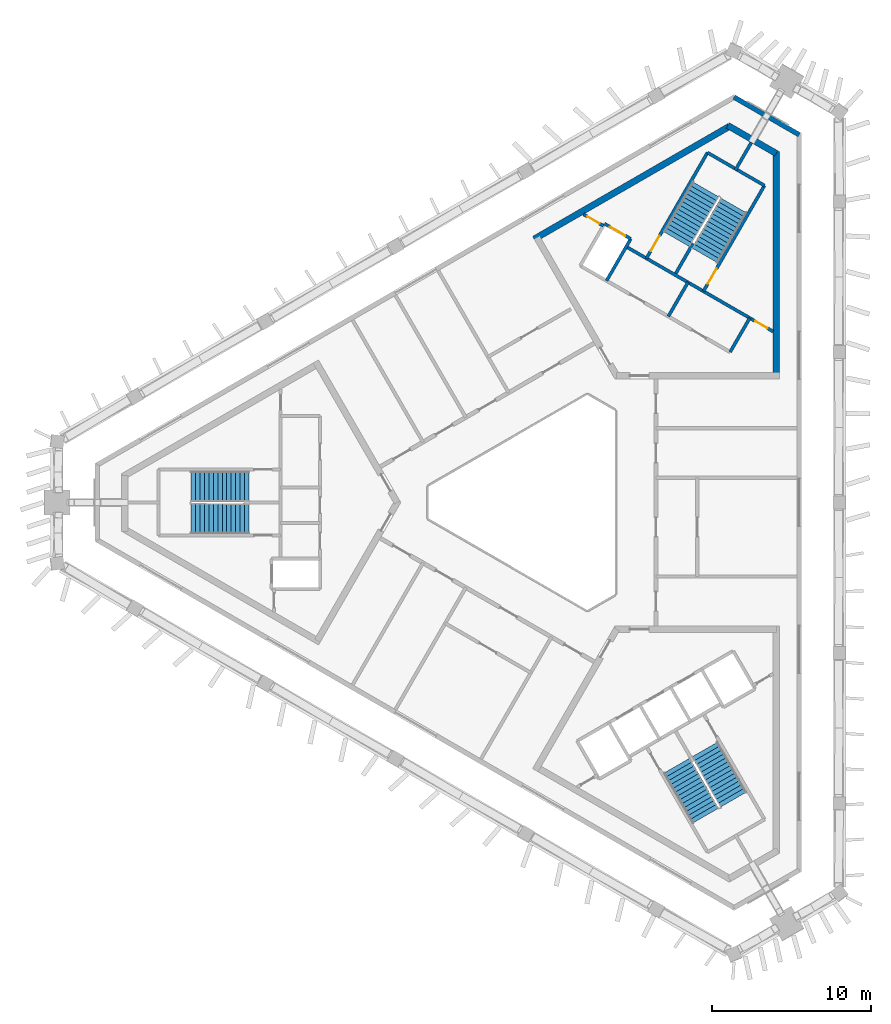
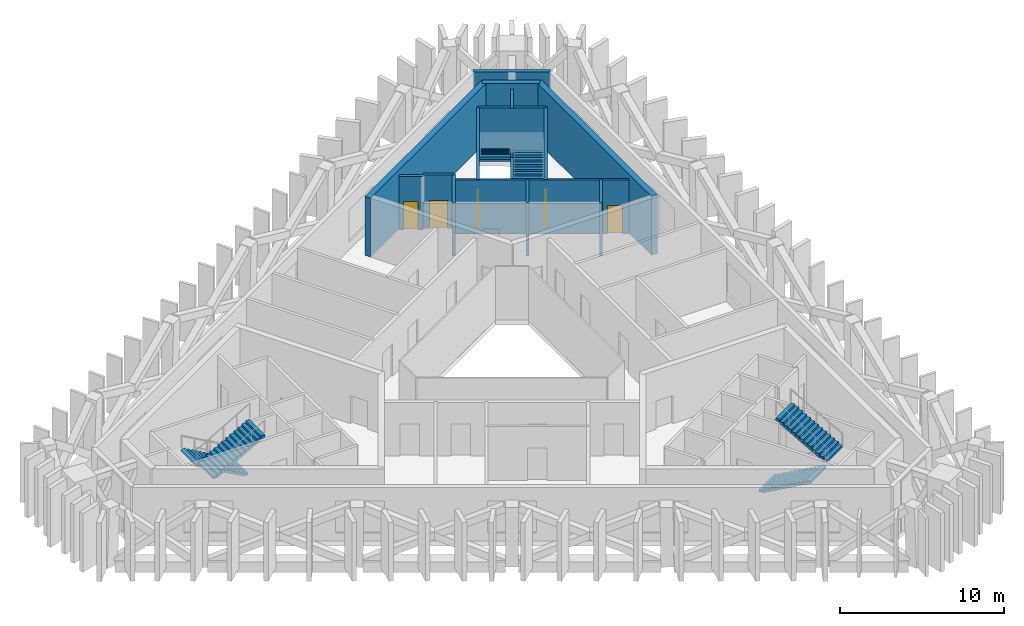
# One storey, part 6 of 8: 15 walls, 6 stair flights, 5 doors, 5 openings, 3 elements without a shape of their own.
"""IFC4 building model written with IfcOpenShell, lengths in metres."""

from ifc_helpers import new_model, si_unit, direction, frame, frame_2d, origin, place, context, subcontext, project, spatial, polyline, rectangle, outline, extrude, material, layer, layer_set, type_object, element, fill, aggregate, save


model = new_model("IFC4")

# Units and contexts
model_context = context("Model", 3, precision=1e-05, world=origin(), true_north=direction((0.0, 1.0)))
body_context = subcontext(model_context, "Body", "Model", "MODEL_VIEW")
ifc_project = project(units=[si_unit("LENGTHUNIT", "METRE"), si_unit("AREAUNIT", "SQUARE_METRE"), si_unit("VOLUMEUNIT", "CUBIC_METRE"), si_unit("PLANEANGLEUNIT", "RADIAN"), si_unit("MASSUNIT", "GRAM", prefix="KILO")], contexts=[model_context])

# Site, building, storey
site_placement = place(None, origin())
site = spatial("IfcSite", under=ifc_project, at=site_placement, CompositionType="ELEMENT")
building_placement = place(site_placement, origin())
building = spatial("IfcBuilding", under=site, at=building_placement, Name="Jabali Bay Hotel Tower and Convention Centre", CompositionType="ELEMENT")
storey_placement = place(building_placement, frame((0.0, 0.0, 296.0)))
storey = spatial("IfcBuildingStorey", under=building, at=storey_placement, Name="L73", CompositionType="ELEMENT", Elevation=296.0)

# Wall
ifc_material_1 = material(Name="Concrete C40", Category="concrete")
ifc_layer_1 = layer(ifc_material_1, 0.199951171875)
ifc_layer_set_1 = layer_set([ifc_layer_1], Name="Concrete C40")
wall_type_1 = type_object("IfcWallType", Name="Core partition wall 200", PredefinedType="PARTITIONING", material=ifc_layer_set_1)
wall_1_placement = place(storey_placement, frame((87.090087890625, 100.9404296875, 0.0), z_axis=(0.0, 0.0, 1.0), x_axis=(0.499941815747, 0.866058993873, 0.0)))
element("IfcWall", 1, at=wall_1_placement, inside=storey, type_object=wall_type_1, Name="Core wall 1.4 L73", PredefinedType="PARTITIONING", context=body_context, shape_type="SweptSolid", body=[
    extrude(rectangle(XDim=2.023193359375, YDim=0.199951171875, at=frame_2d((1.01171875, 0.0))), origin(), (0.0, 0.0, 1.0), 4.0),
])

# Wall, opening, door
wall_2_placement = place(storey_placement, frame((78.7802734375, 97.447509765625, 0.0), z_axis=(0.0, 0.0, 1.0), x_axis=(-0.866045896294, 0.499964504253, 0.0)))
wall_2 = element("IfcWall", 2, at=wall_2_placement, inside=storey, type_object=wall_type_1, Name="Core wall 1.10 L73", PredefinedType="PARTITIONING", context=body_context, shape_type="SweptSolid", body=[
    extrude(rectangle(XDim=1.455078125, YDim=0.199951171875, at=frame_2d((0.7275390625, 0.0))), origin(), (0.0, 0.0, 1.0), 4.0),
])
opening_1_placement = place(wall_2_placement, frame((0.277587890625, 0.0, 0.0)))
opening_1 = element("IfcOpeningElement", 3, at=opening_1_placement, cuts=wall_2, Name="Opening D1626", PredefinedType="OPENING", context=body_context, shape_type="SweptSolid", body=[
    extrude(rectangle(XDim=0.89990234375, YDim=2.10009765625, at=frame_2d((0.449951171875, 1.050048828125))), frame((0.0, 0.1103515625, 0.0), z_axis=(0.0, -1.0, 0.0), x_axis=(1.0, 0.0, 0.0)), (0.0, 0.0, 1.0), 0.220947265625),
])
ifc_material_2 = material(Name="Fire-rated steel door", Category="steel")
door_type_1 = type_object("IfcDoorType", Name="Vestibule fire door 900 x 2100", OperationType="NOTDEFINED", PredefinedType="NOTDEFINED", material=ifc_material_2)
door_1_placement = place(opening_1_placement, origin())
door_1 = element("IfcDoor", 4, at=door_1_placement, inside=storey, type_object=door_type_1, Name="Vestibule fire door D1626", OperationType="SINGLE_SWING_LEFT", OverallHeight=2.10009765625, OverallWidth=0.89990234375, PredefinedType="NOTDEFINED", context=body_context, shape_type="SweptSolid", body=[
    extrude(rectangle(XDim=0.89990234375, YDim=2.10009765625, at=frame_2d((0.449951171875, 1.050048828125))), frame((0.0, 0.02490234375, 0.0), z_axis=(0.0, -1.0, 0.0), x_axis=(1.0, 0.0, 0.0)), (0.0, 0.0, 1.0), 0.050048828125),
])
fill(opening_1, door_1)

# Wall
ifc_layer_2 = layer(ifc_material_1, 0.199951171875)
ifc_layer_set_2 = layer_set([ifc_layer_2], Name="Concrete C40")
wall_type_2 = type_object("IfcWallType", Name="Core stair wall 200", PredefinedType="SOLIDWALL", material=ifc_layer_set_2)
wall_3_placement = place(storey_placement, frame((86.769775390625, 89.48583984375, 0.0), z_axis=(0.0, 0.0, 1.0), x_axis=(0.499961042966, 0.86604789447, 0.0)))
element("IfcWall", 5, at=wall_3_placement, inside=storey, type_object=wall_type_2, Name="Core wall 1.0 L73", PredefinedType="SOLIDWALL", context=body_context, shape_type="SweptSolid", body=[
    extrude(rectangle(XDim=2.480224609375, YDim=0.199951171875, at=frame_2d((1.240234375, 0.0))), origin(), (0.0, 0.0, 1.0), 4.0),
])

# Wall, opening, door
wall_4_placement = place(storey_placement, frame((85.0869140625, 93.3212890625, 0.0), z_axis=(0.0, 0.0, 1.0), x_axis=(0.500019787375, 0.866013979237, 0.0)))
wall_4 = element("IfcWall", 6, at=wall_4_placement, inside=storey, type_object=wall_type_2, Name="Core wall 1.1 L73", PredefinedType="SOLIDWALL", context=body_context, shape_type="SweptSolid", body=[
    extrude(rectangle(XDim=7.699951171875, YDim=0.199951171875, at=frame_2d((3.85009765625, 0.0))), origin(), (0.0, 0.0, 1.0), 4.0),
])
opening_2_placement = place(wall_4_placement, frame((0.550048828125, 0.0, 0.0)))
opening_2 = element("IfcOpeningElement", 7, at=opening_2_placement, cuts=wall_4, Name="Opening D1629", PredefinedType="OPENING", context=body_context, shape_type="SweptSolid", body=[
    extrude(rectangle(XDim=1.10009765625, YDim=2.10009765625, at=frame_2d((0.550048828125, 1.050048828125))), frame((0.0, 0.1103515625, 0.0), z_axis=(0.0, -1.0, 0.0), x_axis=(1.0, 0.0, 0.0)), (0.0, 0.0, 1.0), 0.220947265625),
])
door_type_2 = type_object("IfcDoorType", Name="Stair fire door 1100 x 2100", OperationType="NOTDEFINED", PredefinedType="NOTDEFINED", material=ifc_material_2)
door_2_placement = place(opening_2_placement, origin())
door_2 = element("IfcDoor", 8, at=door_2_placement, inside=storey, type_object=door_type_2, Name="Stair fire door D1629", OperationType="SINGLE_SWING_LEFT", OverallHeight=2.10009765625, OverallWidth=1.10009765625, PredefinedType="NOTDEFINED", context=body_context, shape_type="SweptSolid", body=[
    extrude(rectangle(XDim=1.10009765625, YDim=2.10009765625, at=frame_2d((0.550048828125, 1.050048828125))), frame((0.0, 0.02490234375, 0.0), z_axis=(0.0, -1.0, 0.0), x_axis=(1.0, 0.0, 0.0)), (0.0, 0.0, 1.0), 0.050048828125),
])
fill(opening_2, door_2)

# Walls
wall_5_placement = place(storey_placement, frame((82.872802734375, 91.73583984375, 0.0), z_axis=(0.0, 0.0, 1.0), x_axis=(0.499961042966, 0.86604789447, 0.0)))
element("IfcWall", 9, at=wall_5_placement, inside=storey, type_object=wall_type_2, Name="Core wall 1.2 L73", PredefinedType="SOLIDWALL", context=body_context, shape_type="SweptSolid", body=[
    extrude(rectangle(XDim=2.480224609375, YDim=0.199951171875, at=frame_2d((1.240234375, 0.0))), origin(), (0.0, 0.0, 1.0), 4.0),
])
wall_6_placement = place(storey_placement, frame((83.340087890625, 94.4453125, 0.0), z_axis=(0.0, 0.0, 1.0), x_axis=(0.499946605688, 0.86605622881, 0.0)))
element("IfcWall", 10, at=wall_6_placement, inside=storey, type_object=wall_type_2, Name="Core wall 1.3 L73", PredefinedType="SOLIDWALL", context=body_context, shape_type="SweptSolid", body=[
    extrude(rectangle(XDim=2.199951171875, YDim=0.199951171875, at=frame_2d((1.10009765625, 0.0))), origin(), (0.0, 0.0, 1.0), 4.0),
])

# Wall, opening, door
wall_7_placement = place(storey_placement, frame((81.492919921875, 95.396240234375, 0.0), z_axis=(0.0, 0.0, 1.0), x_axis=(0.500006057782, 0.866021906294, 0.0)))
wall_7 = element("IfcWall", 11, at=wall_7_placement, inside=storey, type_object=wall_type_2, Name="Core wall 1.5 L73", PredefinedType="SOLIDWALL", context=body_context, shape_type="SweptSolid", body=[
    extrude(rectangle(XDim=7.7001953125, YDim=0.199951171875, at=frame_2d((3.85009765625, 0.0))), origin(), (0.0, 0.0, 1.0), 4.0),
])
opening_3_placement = place(wall_7_placement, frame((0.550048828125, 0.0, 0.0)))
opening_3 = element("IfcOpeningElement", 12, at=opening_3_placement, cuts=wall_7, Name="Opening D1628", PredefinedType="OPENING", context=body_context, shape_type="SweptSolid", body=[
    extrude(rectangle(XDim=1.10009765625, YDim=2.10009765625, at=frame_2d((0.550048828125, 1.050048828125))), frame((0.0, 0.1103515625, 0.0), z_axis=(0.0, -1.0, 0.0), x_axis=(1.0, 0.0, 0.0)), (0.0, 0.0, 1.0), 0.220947265625),
])
door_3_placement = place(opening_3_placement, origin())
door_3 = element("IfcDoor", 13, at=door_3_placement, inside=storey, type_object=door_type_2, Name="Stair fire door D1628", OperationType="SINGLE_SWING_RIGHT", OverallHeight=2.10009765625, OverallWidth=1.10009765625, PredefinedType="NOTDEFINED", context=body_context, shape_type="SweptSolid", body=[
    extrude(rectangle(XDim=1.10009765625, YDim=2.10009765625, at=frame_2d((0.550048828125, 1.050048828125))), frame((0.0, 0.02490234375, 0.0), z_axis=(0.0, -1.0, 0.0), x_axis=(1.0, 0.0, 0.0)), (0.0, 0.0, 1.0), 0.050048828125),
])
fill(opening_3, door_3)

# Wall
wall_8_placement = place(storey_placement, frame((78.9755859375, 93.98583984375, 0.0), z_axis=(0.0, 0.0, 1.0), x_axis=(0.499944174705, 0.866057632134, 0.0)))
element("IfcWall", 14, at=wall_8_placement, inside=storey, type_object=wall_type_2, Name="Core wall 1.6 L73", PredefinedType="SOLIDWALL", context=body_context, shape_type="SweptSolid", body=[
    extrude(rectangle(XDim=3.050048828125, YDim=0.199951171875, at=frame_2d((1.52490234375, 0.0))), origin(), (0.0, 0.0, 1.0), 4.0),
])

# Wall, opening, door
wall_9_placement = place(storey_placement, frame((89.47998046875, 90.784912109375, 0.0), z_axis=(0.0, 0.0, 1.0), x_axis=(-0.866022544512, 0.500004952373, 0.0)))
wall_9 = element("IfcWall", 15, at=wall_9_placement, inside=storey, type_object=wall_type_2, Name="Core wall 1.9 L73", PredefinedType="SOLIDWALL", context=body_context, shape_type="SweptSolid", body=[
    extrude(rectangle(XDim=10.69775390625, YDim=0.199951171875, at=frame_2d((5.348876953125, 0.0))), origin(), (0.0, 0.0, 1.0), 4.0),
])
opening_4_placement = place(wall_9_placement, frame((0.398681640625, 0.0, 0.0)))
opening_4 = element("IfcOpeningElement", 16, at=opening_4_placement, cuts=wall_9, Name="Opening D1627", PredefinedType="OPENING", context=body_context, shape_type="SweptSolid", body=[
    extrude(rectangle(XDim=0.89990234375, YDim=2.10009765625, at=frame_2d((0.449951171875, 1.050048828125))), frame((0.0, 0.1103515625, 0.0), z_axis=(0.0, -1.0, 0.0), x_axis=(1.0, 0.0, 0.0)), (0.0, 0.0, 1.0), 0.220947265625),
])
door_4_placement = place(opening_4_placement, origin())
door_4 = element("IfcDoor", 17, at=door_4_placement, inside=storey, type_object=door_type_1, Name="Vestibule fire door D1627", OperationType="SINGLE_SWING_LEFT", OverallHeight=2.10009765625, OverallWidth=0.89990234375, PredefinedType="NOTDEFINED", context=body_context, shape_type="SweptSolid", body=[
    extrude(rectangle(XDim=0.89990234375, YDim=2.10009765625, at=frame_2d((0.449951171875, 1.050048828125))), frame((0.0, 0.02490234375, 0.0), z_axis=(0.0, -1.0, 0.0), x_axis=(1.0, 0.0, 0.0)), (0.0, 0.0, 1.0), 0.050048828125),
])
fill(opening_4, door_4)

wall_10_placement = place(storey_placement, frame((80.50048828125, 96.62744140625, 0.0), z_axis=(0.0, 0.0, 1.0), x_axis=(-0.86601224135, 0.500022797313, 0.0)))
wall_10 = element("IfcWall", 18, at=wall_10_placement, inside=storey, type_object=wall_type_2, Name="Core wall 1.11 L73", PredefinedType="SOLIDWALL", context=body_context, shape_type="SweptSolid", body=[
    extrude(rectangle(XDim=1.89990234375, YDim=0.199951171875, at=frame_2d((0.949951171875, 0.0))), origin(), (0.0, 0.0, 1.0), 4.0),
])
opening_5_placement = place(wall_10_placement, frame((0.39990234375, 0.0, 0.0)))
opening_5 = element("IfcOpeningElement", 19, at=opening_5_placement, cuts=wall_10, Name="Opening LD10-L73", PredefinedType="OPENING", context=body_context, shape_type="SweptSolid", body=[
    extrude(rectangle(XDim=1.10009765625, YDim=2.10009765625, at=frame_2d((0.550048828125, 1.050048828125))), frame((0.0, 0.1103515625, 0.0), z_axis=(0.0, -1.0, 0.0), x_axis=(1.0, 0.0, 0.0)), (0.0, 0.0, 1.0), 0.220947265625),
])
ifc_material_3 = material(Name="Stainless steel landing door", Category="steel")
door_type_3 = type_object("IfcDoorType", Name="Landing door 1100 x 2100", OperationType="NOTDEFINED", PredefinedType="NOTDEFINED", material=ifc_material_3)
door_5_placement = place(opening_5_placement, origin())
door_5 = element("IfcDoor", 20, at=door_5_placement, inside=storey, type_object=door_type_3, Name="Landing doors LD10-L73", OperationType="SLIDING_TO_RIGHT", OverallHeight=2.10009765625, OverallWidth=1.10009765625, PredefinedType="NOTDEFINED", context=body_context, shape_type="SweptSolid", body=[
    extrude(rectangle(XDim=1.10009765625, YDim=2.10009765625, at=frame_2d((0.550048828125, 1.050048828125))), frame((0.0, 0.02490234375, 0.0), z_axis=(0.0, -1.0, 0.0), x_axis=(1.0, 0.0, 0.0)), (0.0, 0.0, 1.0), 0.050048828125),
])
fill(opening_5, door_5)

# Walls
wall_11_placement = place(storey_placement, frame((88.93701171875, 99.989501953125, 0.0), z_axis=(0.0, 0.0, 1.0), x_axis=(-0.866004344652, 0.500036473714, 0.0)))
element("IfcWall", 21, at=wall_11_placement, inside=storey, type_object=wall_type_2, Name="Core wall 1.12 L73", PredefinedType="SOLIDWALL", context=body_context, shape_type="SweptSolid", body=[
    extrude(rectangle(XDim=4.150146484375, YDim=0.199951171875, at=frame_2d((2.0751953125, 0.0))), origin(), (0.0, 0.0, 1.0), 4.0),
])
ifc_material_4 = material(Name="Concrete C60", Category="concrete")
ifc_layer_3 = layer(ifc_material_4, 0.39990234375)
ifc_layer_set_3 = layer_set([ifc_layer_3], Name="Concrete C60")
wall_type_3 = type_object("IfcWallType", Name="Core wall 400", PredefinedType="SHEAR", material=ifc_layer_set_3)
wall_12_placement = place(storey_placement, frame((89.679931640625, 87.994140625, 0.0), z_axis=(0.0, 0.0, 1.0), x_axis=(0.0, 1.0, 0.0)))
element("IfcWall", 22, at=wall_12_placement, inside=storey, type_object=wall_type_3, Name="Core wall 2.2 L73", PredefinedType="SHEAR", context=body_context, shape_type="SweptSolid", body=[
    extrude(rectangle(XDim=14.133544921875, YDim=0.39990234375, at=frame_2d((7.06689453125, 0.0))), origin(), (0.0, 0.0, 1.0), 4.39990234375),
])
wall_13_placement = place(storey_placement, frame((89.679931640625, 102.01220703125, 0.0), z_axis=(0.0, 0.0, 1.0), x_axis=(-0.866025485263, 0.499999858875, 0.0)))
element("IfcWall", 23, at=wall_13_placement, inside=storey, type_object=wall_type_3, Name="Core wall 2.3 L73", PredefinedType="SHEAR", context=body_context, shape_type="SweptSolid", body=[
    extrude(rectangle(XDim=3.52978515625, YDim=0.39990234375, at=frame_2d((1.764892578125, 0.0))), origin(), (0.0, 0.0, 1.0), 4.39990234375),
])
wall_14_placement = place(storey_placement, frame((86.72314453125, 103.71923828125, 0.0), z_axis=(0.0, 0.0, 1.0), x_axis=(-0.866030317223, -0.499991489579, 0.0)))
element("IfcWall", 24, at=wall_14_placement, inside=storey, type_object=wall_type_3, Name="Core wall 2.4 L73", PredefinedType="SHEAR", context=body_context, shape_type="SweptSolid", body=[
    extrude(rectangle(XDim=14.218017578125, YDim=0.39990234375, at=frame_2d((7.10888671875, 0.0))), origin(), (0.0, 0.0, 1.0), 4.39990234375),
])
ifc_layer_4 = layer(ifc_material_1, 0.300048828125)
ifc_layer_set_4 = layer_set([ifc_layer_4], Name="Concrete C40")
wall_type_4 = type_object("IfcWallType", Name="External wall 300", PredefinedType="SOLIDWALL", material=ifc_layer_set_4)
wall_15_placement = place(storey_placement, frame((87.020751953125, 105.565185546875, 0.0), z_axis=(0.0, 0.0, 1.0), x_axis=(0.866021059532, -0.50000752439, 0.0)))
element("IfcWall", 25, at=wall_15_placement, inside=storey, type_object=wall_type_4, Name="External wall north-east chamfer L73", PredefinedType="SOLIDWALL", context=body_context, shape_type="SweptSolid", body=[
    extrude(rectangle(XDim=4.74462890625, YDim=0.300048828125, at=frame_2d((2.372314453125, 0.0))), origin(), (0.0, 0.0, 1.0), 4.0),
])

# Stair, stair flights
stair_type = type_object("IfcStairType", Name="Exit stair 1900", PredefinedType="HALF_TURN_STAIR", material=ifc_material_1)
stair_1_placement = place(storey_placement, origin())
stair_1 = element("IfcStair", 26, at=stair_1_placement, inside=storey, type_object=stair_type, Name="L73 Exit Stair 1", PredefinedType="HALF_TURN_STAIR")
stair_flight_type = type_object("IfcStairFlightType", Name="Stair flight concrete 150", PredefinedType="STRAIGHT", material=ifc_material_1)
stair_flight_1_placement = place(storey_placement, frame((56.419921875, 81.02490234375, 0.0), z_axis=(0.0, 0.0, 1.0), x_axis=(-1.0, 0.0, 0.0)))
stair_flight_1 = element("IfcStairFlight", 27, at=stair_flight_1_placement, type_object=stair_flight_type, Name="ST1 flight 1", NumberOfRisers=14, NumberOfTreads=13, PredefinedType="STRAIGHT", RiserHeight=0.157142857, TreadLength=0.28, context=body_context, shape_type="SweptSolid", body=[
    extrude(outline(polyline([(0.0, 0.0), (0.0, 0.1572265625), (0.280029296875, 0.1572265625), (0.280029296875, 0.314208984375), (0.56005859375, 0.314208984375), (0.56005859375, 0.471435546875), (0.840087890625, 0.471435546875), (0.840087890625, 0.628662109375), (1.1201171875, 0.628662109375), (1.1201171875, 0.78564453125), (1.39990234375, 0.78564453125), (1.39990234375, 0.94287109375), (1.679931640625, 0.94287109375), (1.679931640625, 1.10009765625), (1.9599609375, 1.10009765625), (1.9599609375, 1.257080078125), (2.239990234375, 1.257080078125), (2.239990234375, 1.414306640625), (2.52001953125, 1.414306640625), (2.52001953125, 1.571533203125), (2.800048828125, 1.571533203125), (2.800048828125, 1.728515625), (3.080078125, 1.728515625), (3.080078125, 1.8857421875), (3.360107421875, 1.8857421875), (3.360107421875, 2.04296875), (3.639892578125, 2.04296875), (3.639892578125, 2.199951171875), (3.639892578125, 1.870849609375), (0.306396484375, 0.0), (0.0, 0.0)])), frame((0.0, 0.949951171875, 0.0), z_axis=(0.0, -1.0, 0.0), x_axis=(1.0, 0.0, 0.0)), (0.0, 0.0, 1.0), 1.89990234375),
])
stair_flight_2_placement = place(storey_placement, frame((52.780029296875, 78.97509765625, 2.199951171875), z_axis=(0.0, 0.0, 1.0), x_axis=(1.0, 0.0, 0.0)))
stair_flight_2 = element("IfcStairFlight", 28, at=stair_flight_2_placement, type_object=stair_flight_type, Name="ST1 flight 2", NumberOfRisers=14, NumberOfTreads=13, PredefinedType="STRAIGHT", RiserHeight=0.157142857, TreadLength=0.28, context=body_context, shape_type="SweptSolid", body=[
    extrude(outline(polyline([(0.0, 0.0), (0.0, 0.1572265625), (0.280029296875, 0.1572265625), (0.280029296875, 0.314208984375), (0.56005859375, 0.314208984375), (0.56005859375, 0.471435546875), (0.840087890625, 0.471435546875), (0.840087890625, 0.628662109375), (1.1201171875, 0.628662109375), (1.1201171875, 0.78564453125), (1.39990234375, 0.78564453125), (1.39990234375, 0.94287109375), (1.679931640625, 0.94287109375), (1.679931640625, 1.10009765625), (1.9599609375, 1.10009765625), (1.9599609375, 1.257080078125), (2.239990234375, 1.257080078125), (2.239990234375, 1.414306640625), (2.52001953125, 1.414306640625), (2.52001953125, 1.571533203125), (2.800048828125, 1.571533203125), (2.800048828125, 1.728515625), (3.080078125, 1.728515625), (3.080078125, 1.8857421875), (3.360107421875, 1.8857421875), (3.360107421875, 2.04296875), (3.639892578125, 2.04296875), (3.639892578125, 2.199951171875), (3.639892578125, 1.870849609375), (0.306396484375, 0.0), (0.0, 0.0)])), frame((0.0, 0.949951171875, 0.0), z_axis=(0.0, -1.0, 0.0), x_axis=(1.0, 0.0, 0.0)), (0.0, 0.0, 1.0), 1.89990234375),
])
aggregate(stair_1, [stair_flight_1, stair_flight_2])

stair_2_placement = place(storey_placement, origin())
stair_2 = element("IfcStair", 29, at=stair_2_placement, inside=storey, type_object=stair_type, Name="L73 Exit Stair 2", PredefinedType="HALF_TURN_STAIR")
stair_flight_3_placement = place(storey_placement, frame((85.177734375, 95.578369140625, 0.0), z_axis=(0.0, 0.0, 1.0), x_axis=(0.5, 0.866025403784, 0.0)))
stair_flight_3 = element("IfcStairFlight", 30, at=stair_flight_3_placement, type_object=stair_flight_type, Name="ST2 flight 1", NumberOfRisers=14, NumberOfTreads=13, PredefinedType="STRAIGHT", RiserHeight=0.157142857, TreadLength=0.28, context=body_context, shape_type="SweptSolid", body=[
    extrude(outline(polyline([(0.0, 0.0), (0.0, 0.1572265625), (0.280029296875, 0.1572265625), (0.280029296875, 0.314208984375), (0.56005859375, 0.314208984375), (0.56005859375, 0.471435546875), (0.840087890625, 0.471435546875), (0.840087890625, 0.628662109375), (1.1201171875, 0.628662109375), (1.1201171875, 0.78564453125), (1.39990234375, 0.78564453125), (1.39990234375, 0.94287109375), (1.679931640625, 0.94287109375), (1.679931640625, 1.10009765625), (1.9599609375, 1.10009765625), (1.9599609375, 1.257080078125), (2.239990234375, 1.257080078125), (2.239990234375, 1.414306640625), (2.52001953125, 1.414306640625), (2.52001953125, 1.571533203125), (2.800048828125, 1.571533203125), (2.800048828125, 1.728515625), (3.080078125, 1.728515625), (3.080078125, 1.8857421875), (3.360107421875, 1.8857421875), (3.360107421875, 2.04296875), (3.639892578125, 2.04296875), (3.639892578125, 2.199951171875), (3.639892578125, 1.870849609375), (0.306396484375, 0.0), (0.0, 0.0)])), frame((0.0, 0.949951171875, 0.0), z_axis=(0.0, -1.0, 0.0), x_axis=(1.0, 0.0, 0.0)), (0.0, 0.0, 1.0), 1.89990234375),
])
stair_flight_4_placement = place(storey_placement, frame((85.222412109375, 99.755615234375, 2.199951171875), z_axis=(0.0, 0.0, 1.0), x_axis=(-0.5, -0.866025403784, 0.0)))
stair_flight_4 = element("IfcStairFlight", 31, at=stair_flight_4_placement, type_object=stair_flight_type, Name="ST2 flight 2", NumberOfRisers=14, NumberOfTreads=13, PredefinedType="STRAIGHT", RiserHeight=0.157142857, TreadLength=0.28, context=body_context, shape_type="SweptSolid", body=[
    extrude(outline(polyline([(0.0, 0.0), (0.0, 0.1572265625), (0.280029296875, 0.1572265625), (0.280029296875, 0.314208984375), (0.56005859375, 0.314208984375), (0.56005859375, 0.471435546875), (0.840087890625, 0.471435546875), (0.840087890625, 0.628662109375), (1.1201171875, 0.628662109375), (1.1201171875, 0.78564453125), (1.39990234375, 0.78564453125), (1.39990234375, 0.94287109375), (1.679931640625, 0.94287109375), (1.679931640625, 1.10009765625), (1.9599609375, 1.10009765625), (1.9599609375, 1.257080078125), (2.239990234375, 1.257080078125), (2.239990234375, 1.414306640625), (2.52001953125, 1.414306640625), (2.52001953125, 1.571533203125), (2.800048828125, 1.571533203125), (2.800048828125, 1.728515625), (3.080078125, 1.728515625), (3.080078125, 1.8857421875), (3.360107421875, 1.8857421875), (3.360107421875, 2.04296875), (3.639892578125, 2.04296875), (3.639892578125, 2.199951171875), (3.639892578125, 1.870849609375), (0.306396484375, 0.0), (0.0, 0.0)])), frame((0.0, 0.949951171875, 0.0), z_axis=(0.0, -1.0, 0.0), x_axis=(1.0, 0.0, 0.0)), (0.0, 0.0, 1.0), 1.89990234375),
])
aggregate(stair_2, [stair_flight_3, stair_flight_4])

stair_3_placement = place(storey_placement, origin())
stair_3 = element("IfcStair", 32, at=stair_3_placement, inside=storey, type_object=stair_type, Name="L73 Exit Stair 3", PredefinedType="HALF_TURN_STAIR")
stair_flight_5_placement = place(storey_placement, frame((83.40234375, 63.396728515625, 0.0), z_axis=(0.0, 0.0, 1.0), x_axis=(0.5, -0.866025403784, 0.0)))
stair_flight_5 = element("IfcStairFlight", 33, at=stair_flight_5_placement, type_object=stair_flight_type, Name="ST3 flight 1", NumberOfRisers=14, NumberOfTreads=13, PredefinedType="STRAIGHT", RiserHeight=0.157142857, TreadLength=0.28, context=body_context, shape_type="SweptSolid", body=[
    extrude(outline(polyline([(0.0, 0.0), (0.0, 0.1572265625), (0.280029296875, 0.1572265625), (0.280029296875, 0.314208984375), (0.56005859375, 0.314208984375), (0.56005859375, 0.471435546875), (0.840087890625, 0.471435546875), (0.840087890625, 0.628662109375), (1.1201171875, 0.628662109375), (1.1201171875, 0.78564453125), (1.39990234375, 0.78564453125), (1.39990234375, 0.94287109375), (1.679931640625, 0.94287109375), (1.679931640625, 1.10009765625), (1.9599609375, 1.10009765625), (1.9599609375, 1.257080078125), (2.239990234375, 1.257080078125), (2.239990234375, 1.414306640625), (2.52001953125, 1.414306640625), (2.52001953125, 1.571533203125), (2.800048828125, 1.571533203125), (2.800048828125, 1.728515625), (3.080078125, 1.728515625), (3.080078125, 1.8857421875), (3.360107421875, 1.8857421875), (3.360107421875, 2.04296875), (3.639892578125, 2.04296875), (3.639892578125, 2.199951171875), (3.639892578125, 1.870849609375), (0.306396484375, 0.0), (0.0, 0.0)])), frame((0.0, 0.949951171875, 0.0), z_axis=(0.0, -1.0, 0.0), x_axis=(1.0, 0.0, 0.0)), (0.0, 0.0, 1.0), 1.89990234375),
])
stair_flight_6_placement = place(storey_placement, frame((86.99755859375, 61.26953125, 2.199951171875), z_axis=(0.0, 0.0, 1.0), x_axis=(-0.5, 0.866025403784, 0.0)))
stair_flight_6 = element("IfcStairFlight", 34, at=stair_flight_6_placement, type_object=stair_flight_type, Name="ST3 flight 2", NumberOfRisers=14, NumberOfTreads=13, PredefinedType="STRAIGHT", RiserHeight=0.157142857, TreadLength=0.28, context=body_context, shape_type="SweptSolid", body=[
    extrude(outline(polyline([(0.0, 0.0), (0.0, 0.1572265625), (0.280029296875, 0.1572265625), (0.280029296875, 0.314208984375), (0.56005859375, 0.314208984375), (0.56005859375, 0.471435546875), (0.840087890625, 0.471435546875), (0.840087890625, 0.628662109375), (1.1201171875, 0.628662109375), (1.1201171875, 0.78564453125), (1.39990234375, 0.78564453125), (1.39990234375, 0.94287109375), (1.679931640625, 0.94287109375), (1.679931640625, 1.10009765625), (1.9599609375, 1.10009765625), (1.9599609375, 1.257080078125), (2.239990234375, 1.257080078125), (2.239990234375, 1.414306640625), (2.52001953125, 1.414306640625), (2.52001953125, 1.571533203125), (2.800048828125, 1.571533203125), (2.800048828125, 1.728515625), (3.080078125, 1.728515625), (3.080078125, 1.8857421875), (3.360107421875, 1.8857421875), (3.360107421875, 2.04296875), (3.639892578125, 2.04296875), (3.639892578125, 2.199951171875), (3.639892578125, 1.870849609375), (0.306396484375, 0.0), (0.0, 0.0)])), frame((0.0, 0.949951171875, 0.0), z_axis=(0.0, -1.0, 0.0), x_axis=(1.0, 0.0, 0.0)), (0.0, 0.0, 1.0), 1.89990234375),
])
aggregate(stair_3, [stair_flight_5, stair_flight_6])

save(model, "model.ifc")
